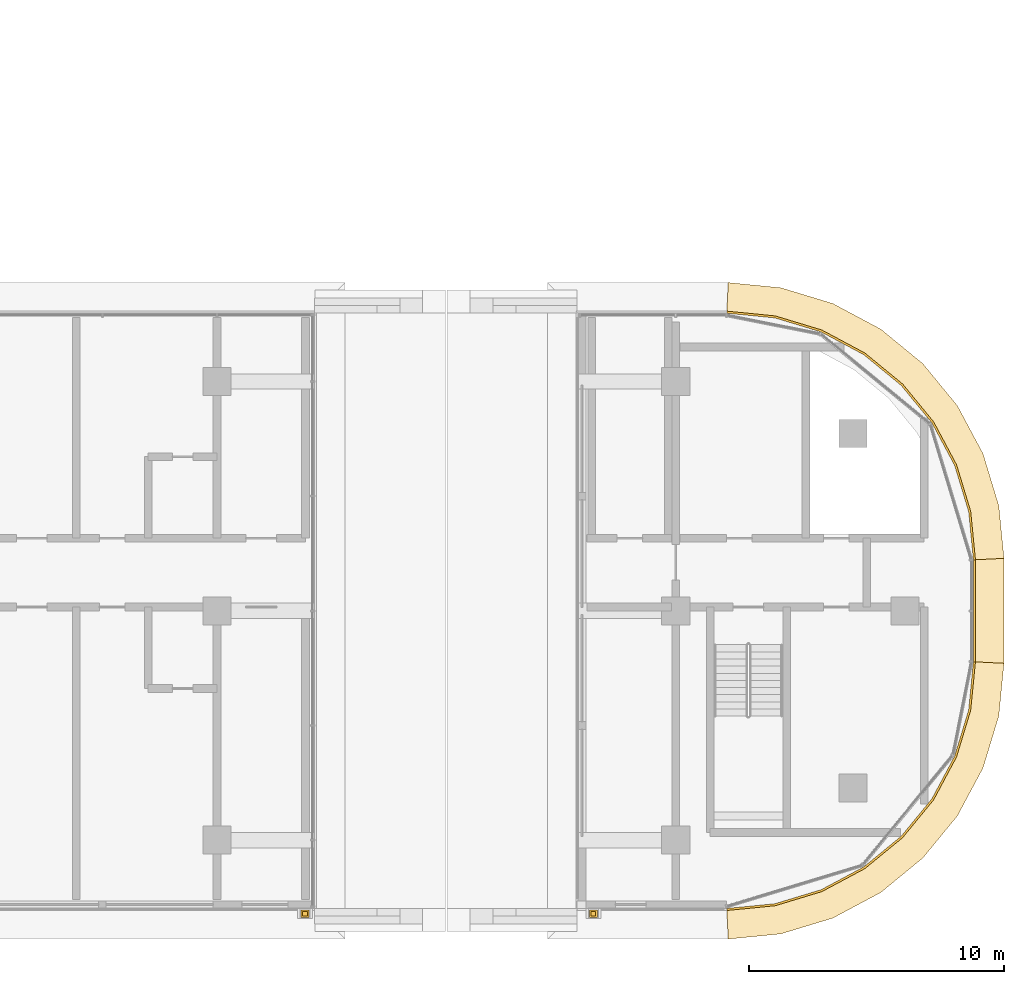
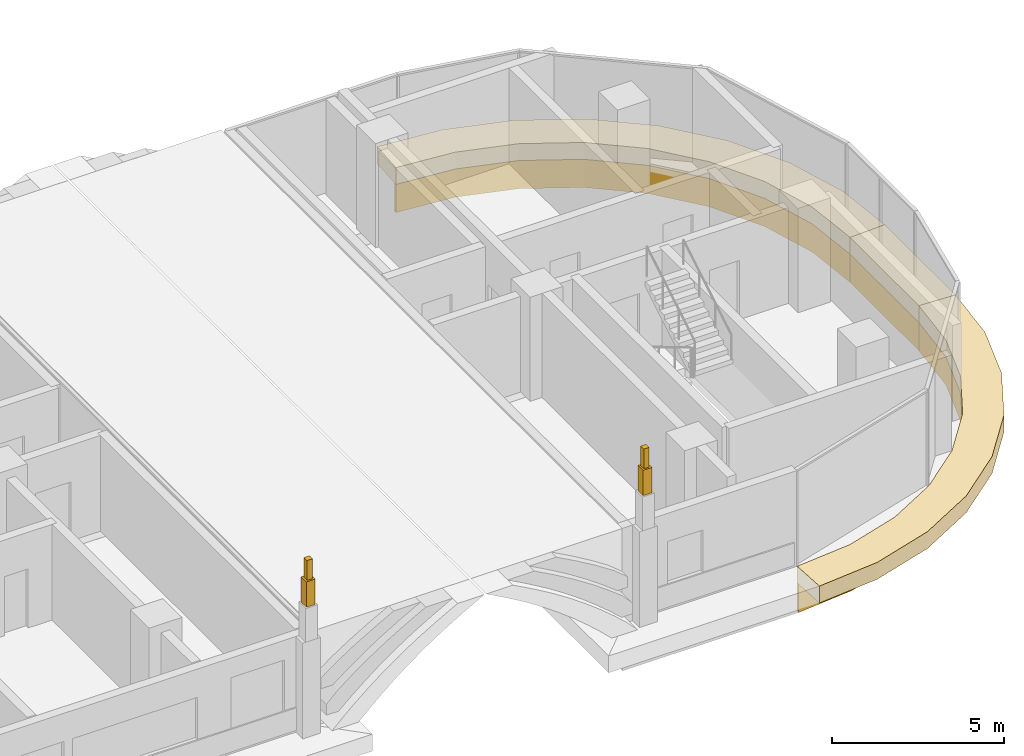
# One storey, part 23 of 23: 10 coverings.
"""IFC4 building model written with IfcOpenShell, lengths in metres."""

from ifc_helpers import new_model, si_unit, direction, frame, origin, origin_2d, place, context, subcontext, project, spatial, polyline, rectangle, outline, extrude, material, layer, layer_set, type_object, element, save


model = new_model("IFC4")

# Units and contexts
model_context = context("Model", 3, precision=1e-05, world=origin(), true_north=direction((0.0, 1.0)))
body_context = subcontext(model_context, "Body", "Model", "MODEL_VIEW")
ifc_project = project(units=[si_unit("LENGTHUNIT", "METRE"), si_unit("AREAUNIT", "SQUARE_METRE"), si_unit("VOLUMEUNIT", "CUBIC_METRE"), si_unit("PLANEANGLEUNIT", "RADIAN"), si_unit("MASSUNIT", "GRAM", prefix="KILO")], contexts=[model_context])

# Site, building, storey
site_placement = place(None, origin())
site = spatial("IfcSite", under=ifc_project, at=site_placement, CompositionType="ELEMENT")
building_placement = place(site_placement, origin())
building = spatial("IfcBuilding", under=site, at=building_placement, Name="Ogive Portal Towers", CompositionType="ELEMENT")
storey_placement = place(building_placement, frame((0.0, 0.0, 179.199951171875)))
storey = spatial("IfcBuildingStorey", under=building, at=storey_placement, Name="L44", CompositionType="ELEMENT", Elevation=179.199951171875)

# Coverings
ifc_material = material(Name="Limestone cladding on lightweight block wall", Category="masonry")
ifc_layer_1 = layer(ifc_material, 0.179931640625)
ifc_layer_set_1 = layer_set([ifc_layer_1], Name="PINNACLE FINIAL STONE")
covering_type_1 = type_object("IfcCoveringType", Name="PINNACLE FINIAL STONE", PredefinedType="CLADDING", material=ifc_layer_set_1)
for number, where, z_axis, x_axis, name in (
    (1, (70.949951171875, 18.6201171875, 5.5), (0.0, 0.0, 1.0), (1.0, 0.0, 0.0), "PINNACLE"),
    (2, (82.27001953125, 18.6201171875, 5.5), (0.0, 0.0, 1.0), (1.0, 0.0, 0.0), "PINNACLE"),
):
    element("IfcCovering", number, at=place(storey_placement, frame(where, z_axis=z_axis, x_axis=x_axis)), inside=storey, type_object=covering_type_1, Name=name, PredefinedType="CLADDING", context=body_context, shape_type="SweptSolid", body=[
        extrude(rectangle(XDim=0.179931640625, YDim=0.179931640625, at=origin_2d()), origin(), (0.0, 0.0, 1.0), 0.699951171875),
    ])
ifc_layer_2 = layer(ifc_material, 0.300048828125)
ifc_layer_set_2 = layer_set([ifc_layer_2], Name="PINNACLE MID STONE")
covering_type_2 = type_object("IfcCoveringType", Name="PINNACLE MID STONE", PredefinedType="CLADDING", material=ifc_layer_set_2)
for number, where, z_axis, x_axis, name in (
    (3, (70.949951171875, 18.6201171875, 4.60009765625), (0.0, 0.0, 1.0), (1.0, 0.0, 0.0), "PINNACLE"),
    (4, (82.27001953125, 18.6201171875, 4.60009765625), (0.0, 0.0, 1.0), (1.0, 0.0, 0.0), "PINNACLE"),
):
    element("IfcCovering", number, at=place(storey_placement, frame(where, z_axis=z_axis, x_axis=x_axis)), inside=storey, type_object=covering_type_2, Name=name, PredefinedType="CLADDING", context=body_context, shape_type="SweptSolid", body=[
        extrude(rectangle(XDim=0.300048828125, YDim=0.300048828125, at=origin_2d()), origin(), (0.0, 0.0, 1.0), 0.89990234375),
    ])
ifc_layer_3 = layer(ifc_material, 0.080078125)
ifc_layer_set_3 = layer_set([ifc_layer_3], Name="STONE SPANDREL 80")
covering_type_3 = type_object("IfcCoveringType", Name="STONE SPANDREL 80", PredefinedType="CLADDING", material=ifc_layer_set_3)
covering_1_placement = place(storey_placement, frame((0.0, 0.0, -1.599853515625)))
element("IfcCovering", 5, at=covering_1_placement, inside=storey, type_object=covering_type_3, Name="Stone spandrel A2-F01", PredefinedType="CLADDING", context=body_context, shape_type="SweptSolid", body=[
    extrude(outline(polyline([(87.5, 18.820068359375), (89.388427734375, 19.006103515625), (91.204345703125, 19.556884765625), (92.8779296875, 20.451416015625), (94.3447265625, 21.6552734375), (95.548583984375, 23.1220703125), (96.443115234375, 24.795654296875), (96.993896484375, 26.611572265625), (97.179931640625, 28.5), (97.260009765625, 28.49609375), (97.07275390625, 26.595947265625), (96.517333984375, 24.764892578125), (95.615478515625, 23.077392578125), (94.401611328125, 21.598388671875), (92.922607421875, 20.384521484375), (91.235107421875, 19.482666015625), (89.404052734375, 18.92724609375), (87.50390625, 18.739990234375), (87.5, 18.820068359375)])), origin(), (0.0, 0.0, 1.0), 1.0),
])
covering_2_placement = place(storey_placement, frame((0.0, 0.0, -1.599853515625)))
element("IfcCovering", 6, at=covering_2_placement, inside=storey, type_object=covering_type_3, Name="Stone spandrel A2-F02", PredefinedType="CLADDING", context=body_context, shape_type="SweptSolid", body=[
    extrude(outline(polyline([(97.179931640625, 28.5), (97.179931640625, 32.5), (97.260009765625, 32.50390625), (97.260009765625, 28.49609375), (97.179931640625, 28.5)])), origin(), (0.0, 0.0, 1.0), 1.0),
])
covering_3_placement = place(storey_placement, frame((0.0, 0.0, -1.599853515625)))
element("IfcCovering", 7, at=covering_3_placement, inside=storey, type_object=covering_type_3, Name="Stone spandrel A2-F03", PredefinedType="CLADDING", context=body_context, shape_type="SweptSolid", body=[
    extrude(outline(polyline([(97.179931640625, 32.5), (96.993896484375, 34.388427734375), (96.443115234375, 36.204345703125), (95.548583984375, 37.8779296875), (94.3447265625, 39.3447265625), (92.8779296875, 40.548583984375), (91.204345703125, 41.443115234375), (89.388427734375, 41.993896484375), (87.5, 42.179931640625), (87.50390625, 42.260009765625), (89.404052734375, 42.07275390625), (91.235107421875, 41.517333984375), (92.922607421875, 40.615478515625), (94.401611328125, 39.401611328125), (95.615478515625, 37.922607421875), (96.517333984375, 36.235107421875), (97.07275390625, 34.404052734375), (97.260009765625, 32.50390625), (97.179931640625, 32.5)])), origin(), (0.0, 0.0, 1.0), 1.0),
])
ifc_layer_4 = layer(ifc_material, 0.60009765625)
ifc_layer_set_4 = layer_set([ifc_layer_4], Name="SUNSHADE LIP 600")
covering_type_4 = type_object("IfcCoveringType", Name="SUNSHADE LIP 600", PredefinedType="CLADDING", material=ifc_layer_set_4)
covering_4_placement = place(storey_placement, frame((0.0, 0.0, -0.599853515625)))
element("IfcCovering", 8, at=covering_4_placement, inside=storey, type_object=covering_type_4, Name="Sunshade lip A2-F01", PredefinedType="CLADDING", context=body_context, shape_type="SweptSolid", body=[
    extrude(outline(polyline([(87.5, 18.820068359375), (89.388427734375, 19.006103515625), (91.204345703125, 19.556884765625), (92.8779296875, 20.451416015625), (94.3447265625, 21.6552734375), (95.548583984375, 23.1220703125), (96.443115234375, 24.795654296875), (96.993896484375, 26.611572265625), (97.179931640625, 28.5), (98.3798828125, 28.441162109375), (98.1767578125, 26.376220703125), (97.55712890625, 24.334228515625), (96.55126953125, 22.4521484375), (95.197509765625, 20.802490234375), (93.5478515625, 19.44873046875), (91.665771484375, 18.44287109375), (89.623779296875, 17.8232421875), (87.558837890625, 17.6201171875), (87.5, 18.820068359375)])), origin(), (0.0, 0.0, 1.0), 0.599853515625),
])
covering_5_placement = place(storey_placement, frame((0.0, 0.0, -0.599853515625)))
element("IfcCovering", 9, at=covering_5_placement, inside=storey, type_object=covering_type_4, Name="Sunshade lip A2-F02", PredefinedType="CLADDING", context=body_context, shape_type="SweptSolid", body=[
    extrude(outline(polyline([(97.179931640625, 28.5), (97.179931640625, 32.5), (98.3798828125, 32.558837890625), (98.3798828125, 28.441162109375), (97.179931640625, 28.5)])), origin(), (0.0, 0.0, 1.0), 0.599853515625),
])
covering_6_placement = place(storey_placement, frame((0.0, 0.0, -0.599853515625)))
element("IfcCovering", 10, at=covering_6_placement, inside=storey, type_object=covering_type_4, Name="Sunshade lip A2-F03", PredefinedType="CLADDING", context=body_context, shape_type="SweptSolid", body=[
    extrude(outline(polyline([(97.179931640625, 32.5), (96.993896484375, 34.388427734375), (96.443115234375, 36.204345703125), (95.548583984375, 37.8779296875), (94.3447265625, 39.3447265625), (92.8779296875, 40.548583984375), (91.204345703125, 41.443115234375), (89.388427734375, 41.993896484375), (87.5, 42.179931640625), (87.558837890625, 43.3798828125), (89.623779296875, 43.1767578125), (91.665771484375, 42.55712890625), (93.5478515625, 41.55126953125), (95.197509765625, 40.197509765625), (96.55126953125, 38.5478515625), (97.55712890625, 36.665771484375), (98.1767578125, 34.623779296875), (98.3798828125, 32.558837890625), (97.179931640625, 32.5)])), origin(), (0.0, 0.0, 1.0), 0.599853515625),
])

save(model, "model.ifc")
